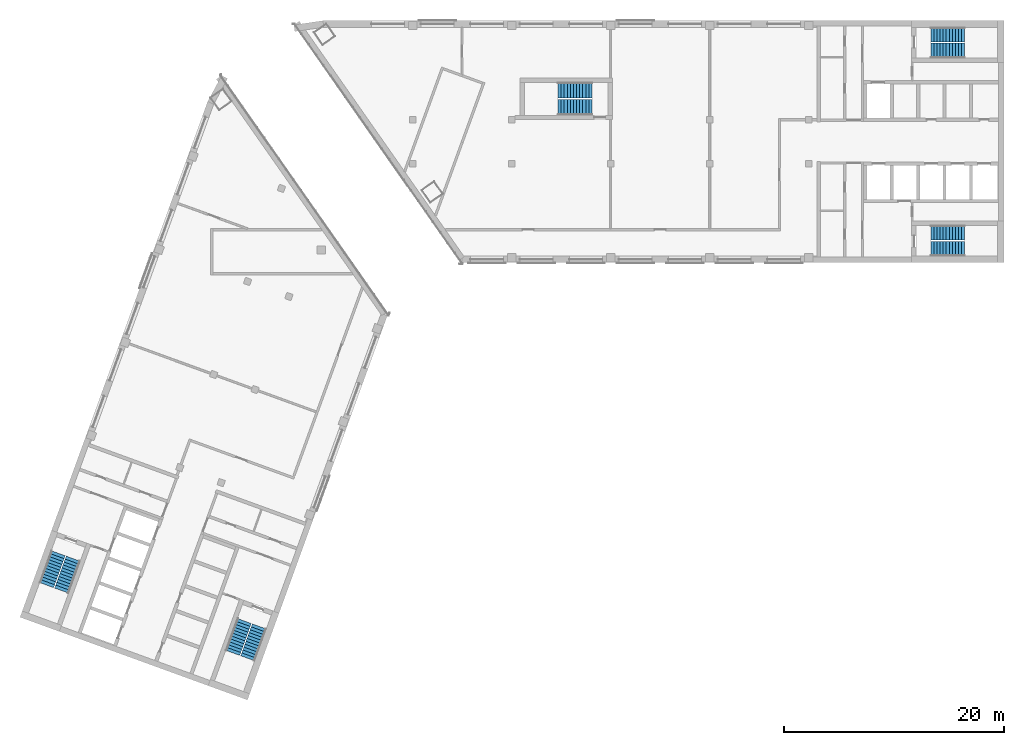
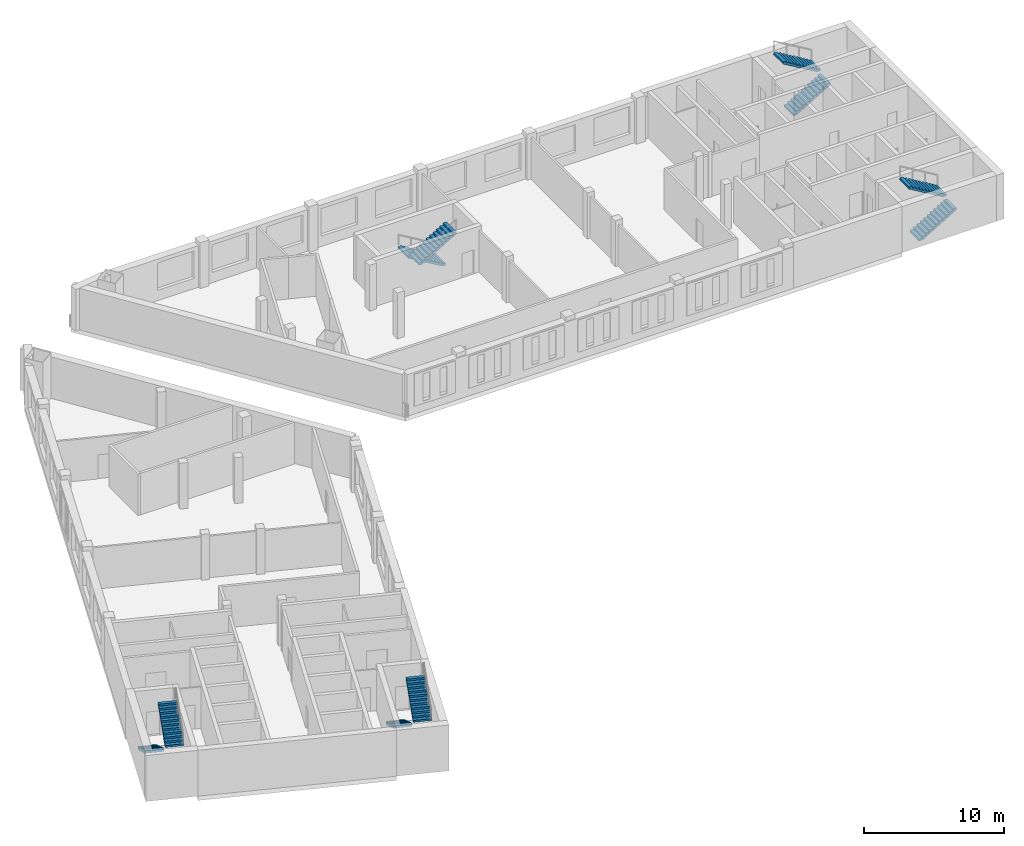
# One storey, part 6 of 7: 10 stair flights, 5 elements without a shape of their own.
"""IFC4 building model written with IfcOpenShell, lengths in metres."""

import ifcopenshell
import ifcopenshell.guid

model = None  # the IFC model being written
_history = None  # IfcOwnerHistory: only IFC2X3 demands one
_inside = {}  # id of a spatial element -> (the spatial element, [elements in it])
_under = {}  # id of a project, library or spatial element -> (it, [spatial elements below it])
_declared = {}  # id of a project -> (the project, [libraries it declares])
_typed = {}  # id of a type object -> (the type object, [elements of that type])
_made_of = {}  # id of a material, layer set ... -> (it, [elements and type objects made of it])


def new_model(schema):
    """Start an empty IFC model of exactly this schema.

    Asked for "IFC4X3", IfcOpenShell would pick the latest addendum, in which some entities
    have other attributes; the version numbers below select the first issue.
    IFC2X3 requires an IfcOwnerHistory on every rooted entity: one is made here for all.
    """
    global model, _history
    if schema == "IFC4X3":
        model = ifcopenshell.file(schema_version=(4, 3, 0, 0))
    else:
        model = ifcopenshell.file(schema=schema)
    _inside.clear()
    _under.clear()
    _declared.clear()
    _typed.clear()
    _made_of.clear()
    _history = None
    if model.schema == "IFC2X3":
        org = make("IfcOrganization", Name="unknown")
        user = make(
            "IfcPersonAndOrganization",
            ThePerson=make("IfcPerson", FamilyName="unknown"),
            TheOrganization=org,
        )
        app = make(
            "IfcApplication",
            ApplicationDeveloper=org,
            Version="unknown",
            ApplicationFullName="unknown",
            ApplicationIdentifier="unknown",
        )
        _history = make(
            "IfcOwnerHistory",
            OwningUser=user,
            OwningApplication=app,
            ChangeAction="ADDED",
            CreationDate=0,
        )
    return model


def make(cls, **values):
    """One entity of the class cls with the attributes given. An attribute that is None is left unset."""
    return model.create_entity(
        cls, **{name: value for name, value in values.items() if value is not None}
    )


def rooted(cls, **values):
    """An entity with a GlobalId (a new one), such as an element, a storey or a relation."""
    return make(cls, GlobalId=ifcopenshell.guid.new(), OwnerHistory=_history, **values)


def si_unit(unit_type, name, prefix=None):
    """IfcSIUnit, for example si_unit("LENGTHUNIT", "METRE", prefix="MILLI")."""
    return make("IfcSIUnit", UnitType=unit_type, Prefix=prefix, Name=name)


def assignment(units):
    """IfcUnitAssignment: the units of a project."""
    return None if units is None else make("IfcUnitAssignment", Units=units)


def point(xyz):
    """IfcCartesianPoint."""
    return None if xyz is None else make("IfcCartesianPoint", Coordinates=xyz)


def direction(xyz):
    """IfcDirection."""
    return None if xyz is None else make("IfcDirection", DirectionRatios=xyz)


def frame(location, z_axis=None, x_axis=None):
    """IfcAxis2Placement3D, a coordinate frame: its origin and axes. An axis left out is left unset."""
    return make(
        "IfcAxis2Placement3D",
        Location=point(location),
        Axis=direction(z_axis),
        RefDirection=direction(x_axis),
    )


def origin():
    """The frame at (0, 0, 0) with its axes left unset."""
    return frame((0.0, 0.0, 0.0))


def place(relative_to, where):
    """IfcLocalPlacement: puts the frame where relative to a parent placement (None: the world)."""
    return make(
        "IfcLocalPlacement", PlacementRelTo=relative_to, RelativePlacement=where
    )


def context(
    kind, dimensions, precision=None, world=None, true_north=None, identifier=None
):
    """IfcGeometricRepresentationContext, for example the 3D "Model" context."""
    return make(
        "IfcGeometricRepresentationContext",
        ContextIdentifier=identifier,
        ContextType=kind,
        CoordinateSpaceDimension=dimensions,
        Precision=precision,
        WorldCoordinateSystem=world,
        TrueNorth=true_north,
    )


def subcontext(parent, identifier, kind, view, scale=None):
    """IfcGeometricRepresentationSubContext, for example "Body" below "Model"."""
    return make(
        "IfcGeometricRepresentationSubContext",
        ContextIdentifier=identifier,
        ContextType=kind,
        ParentContext=parent,
        TargetScale=scale,
        TargetView=view,
    )


def project(units=None, contexts=None):
    """IfcProject with its units and contexts."""
    return rooted(
        "IfcProject",
        Name="project",
        RepresentationContexts=contexts,
        UnitsInContext=assignment(units),
    )


def spatial(cls, under=None, at=None, **own):
    """A site, building, storey or space (cls), placed at a placement, below another one or the project."""
    s = rooted(cls, ObjectPlacement=at, **own)
    if under is not None:
        _under.setdefault(under.id(), (under, []))[1].append(s)
    return s


def polyline(points):
    """IfcPolyline through the points."""
    return make("IfcPolyline", Points=[point(p) for p in points])


def outline(outer, holes=None, kind="AREA"):
    """IfcArbitraryClosedProfileDef: a profile drawn as a closed curve; with holes, ...WithVoids."""
    if holes is None:
        return make("IfcArbitraryClosedProfileDef", ProfileType=kind, OuterCurve=outer)
    return make(
        "IfcArbitraryProfileDefWithVoids",
        ProfileType=kind,
        OuterCurve=outer,
        InnerCurves=holes,
    )


def extrude(swept, where, along, depth):
    """IfcExtrudedAreaSolid: the profile swept, set in the frame where, extruded along a direction by depth."""
    return make(
        "IfcExtrudedAreaSolid",
        SweptArea=swept,
        Position=where,
        ExtrudedDirection=direction(along),
        Depth=depth,
    )


def shape(context_of_items, identifier, shape_type, items):
    """IfcShapeRepresentation: the items that make up one representation, for example the "Body"."""
    return make(
        "IfcShapeRepresentation",
        ContextOfItems=context_of_items,
        RepresentationIdentifier=identifier,
        RepresentationType=shape_type,
        Items=items,
    )


def material(Name=None, Category=None):
    """IfcMaterial."""
    return make("IfcMaterial", Name=Name, Category=Category)


def made_of(thing, what):
    """Note that an element or type object is made of a material, layer set ...; save() writes the relation."""
    if what is not None:
        _made_of.setdefault(what.id(), (what, []))[1].append(thing)
    return thing


def type_object(cls, material=None, **own):
    """A type object (cls), such as IfcWallType, which elements share."""
    return made_of(rooted(cls, **own), material)


def element(
    cls,
    number,
    at=None,
    inside=None,
    cuts=None,
    type_object=None,
    material=None,
    context=None,
    identifier="Body",
    shape_type=None,
    held_by="IfcProductDefinitionShape",
    body=None,
    shapes=None,
    **own,
):
    """One element of the class cls, such as IfcWall. Its Tag is "e" and its number.

    at: its placement. inside: the storey or other place that contains it. cuts: it is an
    opening in that element (IfcRelVoidsElement). A single representation is given by context,
    identifier, shape_type and body (its items); several are given by shapes. held_by: the class
    of the entity that holds the representations. save() writes the other relations.
    """
    e = rooted(cls, Tag="e%d" % number, ObjectPlacement=at, **own)
    if body is not None:
        shapes = [shape(context, identifier, shape_type, body)]
    if shapes is not None:
        e.Representation = make(held_by, Representations=shapes)
    if inside is not None:
        _inside.setdefault(inside.id(), (inside, []))[1].append(e)
    if cuts is not None:
        rooted(
            "IfcRelVoidsElement", RelatingBuildingElement=cuts, RelatedOpeningElement=e
        )
    if type_object is not None:
        _typed.setdefault(type_object.id(), (type_object, []))[1].append(e)
    return made_of(e, material)


def aggregate(whole, parts):
    """IfcRelAggregates: a whole, such as a stair, and the parts it consists of."""
    return rooted("IfcRelAggregates", RelatingObject=whole, RelatedObjects=parts)


def save(model, path):
    """Write the relations noted so far, then the file.

    IfcRelAggregates (storeys below a building ...), IfcRelContainedInSpatialStructure (elements
    in a storey), IfcRelDefinesByType, IfcRelAssociatesMaterial and IfcRelDeclares: one each for
    every whole, place, type object, material and project.
    """
    for whole, parts in _under.values():
        aggregate(whole, parts)
    for where, things in _inside.values():
        rooted(
            "IfcRelContainedInSpatialStructure",
            RelatedElements=things,
            RelatingStructure=where,
        )
    for kind, things in _typed.values():
        rooted("IfcRelDefinesByType", RelatedObjects=things, RelatingType=kind)
    for what, things in _made_of.values():
        rooted("IfcRelAssociatesMaterial", RelatedObjects=things, RelatingMaterial=what)
    for by, libraries in _declared.values():
        rooted("IfcRelDeclares", RelatingContext=by, RelatedDefinitions=libraries)
    model.write(path)


model = new_model("IFC4")

# Units and contexts
model_context = context("Model", 3, precision=1e-05, world=origin(), true_north=direction((0.0, 1.0)))
body_context = subcontext(model_context, "Body", "Model", "MODEL_VIEW")
ifc_project = project(units=[si_unit("LENGTHUNIT", "METRE"), si_unit("AREAUNIT", "SQUARE_METRE"), si_unit("VOLUMEUNIT", "CUBIC_METRE"), si_unit("PLANEANGLEUNIT", "RADIAN"), si_unit("MASSUNIT", "GRAM", prefix="KILO")], contexts=[model_context])

# Site, building, storey
site_placement = place(None, origin())
site = spatial("IfcSite", under=ifc_project, at=site_placement, CompositionType="ELEMENT")
building_placement = place(site_placement, origin())
building = spatial("IfcBuilding", under=site, at=building_placement, Name="Skarvind Civic Tower", CompositionType="ELEMENT")
storey_placement = place(building_placement, frame((0.0, 0.0, 188.0)))
storey = spatial("IfcBuildingStorey", under=building, at=storey_placement, Name="L44", CompositionType="ELEMENT", Elevation=188.0)

# Stair, stair flights
ifc_material = material(Name="Concrete C40/50", Category="concrete")
stair_type_1 = type_object("IfcStairType", Name="Exit stair 1450, half-turn, concrete", PredefinedType="HALF_TURN_STAIR", material=ifc_material)
stair_1_placement = place(storey_placement, origin())
stair_1 = element("IfcStair", 1, at=stair_1_placement, inside=storey, type_object=stair_type_1, Name="Exit stair CM", PredefinedType="HALF_TURN_STAIR")
stair_flight_type_1 = type_object("IfcStairFlightType", Name="Stair flight 1450, concrete", PredefinedType="STRAIGHT", material=ifc_material)
stair_flight_1_placement = place(storey_placement, frame((70.550048828125, 132.675048828125, 0.0), z_axis=(0.0, 0.0, 1.0), x_axis=(-1.0, 0.0, 0.0)))
stair_flight_1 = element("IfcStairFlight", 2, at=stair_flight_1_placement, type_object=stair_flight_type_1, Name="ST-CM flight 1", NumberOfRisers=12, NumberOfTreads=11, PredefinedType="STRAIGHT", RiserHeight=0.166666667, TreadLength=0.28, context=body_context, shape_type="SweptSolid", body=[
    extrude(outline(polyline([(0.0, 0.0), (0.0, 0.166748046875), (0.280029296875, 0.166748046875), (0.280029296875, 0.333251953125), (0.56005859375, 0.333251953125), (0.56005859375, 0.5), (0.840087890625, 0.5), (0.840087890625, 0.666748046875), (1.1201171875, 0.666748046875), (1.1201171875, 0.833251953125), (1.39990234375, 0.833251953125), (1.39990234375, 1.0), (1.679931640625, 1.0), (1.679931640625, 1.166748046875), (1.9599609375, 1.166748046875), (1.9599609375, 1.333251953125), (2.239990234375, 1.333251953125), (2.239990234375, 1.5), (2.52001953125, 1.5), (2.52001953125, 1.666748046875), (2.800048828125, 1.666748046875), (2.800048828125, 1.833251953125), (3.080078125, 1.833251953125), (3.080078125, 2.0), (3.080078125, 1.658935546875), (0.29296875, 0.0), (0.0, 0.0)])), frame((0.0, 0.72509765625, 0.0), z_axis=(0.0, -1.0, 0.0), x_axis=(1.0, 0.0, 0.0)), (0.0, 0.0, 1.0), 1.449951171875),
])
stair_flight_2_placement = place(storey_placement, frame((67.469970703125, 131.125, 2.0), z_axis=(0.0, 0.0, 1.0), x_axis=(1.0, 0.0, 0.0)))
stair_flight_2 = element("IfcStairFlight", 3, at=stair_flight_2_placement, type_object=stair_flight_type_1, Name="ST-CM flight 2", NumberOfRisers=12, NumberOfTreads=11, PredefinedType="STRAIGHT", RiserHeight=0.166666667, TreadLength=0.28, context=body_context, shape_type="SweptSolid", body=[
    extrude(outline(polyline([(0.0, 0.0), (0.0, 0.166748046875), (0.280029296875, 0.166748046875), (0.280029296875, 0.333251953125), (0.56005859375, 0.333251953125), (0.56005859375, 0.5), (0.840087890625, 0.5), (0.840087890625, 0.666748046875), (1.1201171875, 0.666748046875), (1.1201171875, 0.833251953125), (1.39990234375, 0.833251953125), (1.39990234375, 1.0), (1.679931640625, 1.0), (1.679931640625, 1.166748046875), (1.9599609375, 1.166748046875), (1.9599609375, 1.333251953125), (2.239990234375, 1.333251953125), (2.239990234375, 1.5), (2.52001953125, 1.5), (2.52001953125, 1.666748046875), (2.800048828125, 1.666748046875), (2.800048828125, 1.833251953125), (3.080078125, 1.833251953125), (3.080078125, 2.0), (3.080078125, 1.658935546875), (0.29296875, 0.0), (0.0, 0.0)])), frame((0.0, 0.72509765625, 0.0), z_axis=(0.0, -1.0, 0.0), x_axis=(1.0, 0.0, 0.0)), (0.0, 0.0, 1.0), 1.449951171875),
])
aggregate(stair_1, [stair_flight_1, stair_flight_2])

stair_type_2 = type_object("IfcStairType", Name="Exit stair, half-turn, concrete", PredefinedType="HALF_TURN_STAIR", material=ifc_material)
stair_2_placement = place(storey_placement, origin())
stair_2 = element("IfcStair", 4, at=stair_2_placement, inside=storey, type_object=stair_type_2, Name="Exit stair C1S", PredefinedType="HALF_TURN_STAIR")
stair_flight_type_2 = type_object("IfcStairFlightType", Name="Stair flight, concrete", PredefinedType="STRAIGHT", material=ifc_material)
stair_flight_3_placement = place(storey_placement, frame((101.35009765625, 136.27490234375, 0.0), z_axis=(0.0, 0.0, 1.0), x_axis=(1.0, 0.0, 0.0)))
stair_flight_3 = element("IfcStairFlight", 5, at=stair_flight_3_placement, type_object=stair_flight_type_2, Name="ST-C1S flight 1", NumberOfRisers=12, NumberOfTreads=11, PredefinedType="STRAIGHT", RiserHeight=0.166666667, TreadLength=0.28, context=body_context, shape_type="SweptSolid", body=[
    extrude(outline(polyline([(0.0, 0.0), (0.0, 0.166748046875), (0.280029296875, 0.166748046875), (0.280029296875, 0.333251953125), (0.56005859375, 0.333251953125), (0.56005859375, 0.5), (0.840087890625, 0.5), (0.840087890625, 0.666748046875), (1.1201171875, 0.666748046875), (1.1201171875, 0.833251953125), (1.39990234375, 0.833251953125), (1.39990234375, 1.0), (1.679931640625, 1.0), (1.679931640625, 1.166748046875), (1.9599609375, 1.166748046875), (1.9599609375, 1.333251953125), (2.239990234375, 1.333251953125), (2.239990234375, 1.5), (2.52001953125, 1.5), (2.52001953125, 1.666748046875), (2.800048828125, 1.666748046875), (2.800048828125, 1.833251953125), (3.080078125, 1.833251953125), (3.080078125, 2.0), (3.080078125, 1.658935546875), (0.29296875, 0.0), (0.0, 0.0)])), frame((0.0, 0.675048828125, 0.0), z_axis=(0.0, -1.0, 0.0), x_axis=(1.0, 0.0, 0.0)), (0.0, 0.0, 1.0), 1.35009765625),
])
stair_flight_4_placement = place(storey_placement, frame((104.429931640625, 137.72509765625, 2.0), z_axis=(0.0, 0.0, 1.0), x_axis=(-1.0, 0.0, 0.0)))
stair_flight_4 = element("IfcStairFlight", 6, at=stair_flight_4_placement, type_object=stair_flight_type_2, Name="ST-C1S flight 2", NumberOfRisers=12, NumberOfTreads=11, PredefinedType="STRAIGHT", RiserHeight=0.166666667, TreadLength=0.28, context=body_context, shape_type="SweptSolid", body=[
    extrude(outline(polyline([(0.0, 0.0), (0.0, 0.166748046875), (0.280029296875, 0.166748046875), (0.280029296875, 0.333251953125), (0.56005859375, 0.333251953125), (0.56005859375, 0.5), (0.840087890625, 0.5), (0.840087890625, 0.666748046875), (1.1201171875, 0.666748046875), (1.1201171875, 0.833251953125), (1.39990234375, 0.833251953125), (1.39990234375, 1.0), (1.679931640625, 1.0), (1.679931640625, 1.166748046875), (1.9599609375, 1.166748046875), (1.9599609375, 1.333251953125), (2.239990234375, 1.333251953125), (2.239990234375, 1.5), (2.52001953125, 1.5), (2.52001953125, 1.666748046875), (2.800048828125, 1.666748046875), (2.800048828125, 1.833251953125), (3.080078125, 1.833251953125), (3.080078125, 2.0), (3.080078125, 1.658935546875), (0.29296875, 0.0), (0.0, 0.0)])), frame((0.0, 0.675048828125, 0.0), z_axis=(0.0, -1.0, 0.0), x_axis=(1.0, 0.0, 0.0)), (0.0, 0.0, 1.0), 1.35009765625),
])
aggregate(stair_2, [stair_flight_3, stair_flight_4])

stair_3_placement = place(storey_placement, origin())
stair_3 = element("IfcStair", 7, at=stair_3_placement, inside=storey, type_object=stair_type_2, Name="Exit stair C1N", PredefinedType="HALF_TURN_STAIR")
stair_flight_5_placement = place(storey_placement, frame((101.35009765625, 118.27490234375, 0.0), z_axis=(0.0, 0.0, 1.0), x_axis=(1.0, 0.0, 0.0)))
stair_flight_5 = element("IfcStairFlight", 8, at=stair_flight_5_placement, type_object=stair_flight_type_2, Name="ST-C1N flight 1", NumberOfRisers=12, NumberOfTreads=11, PredefinedType="STRAIGHT", RiserHeight=0.166666667, TreadLength=0.28, context=body_context, shape_type="SweptSolid", body=[
    extrude(outline(polyline([(0.0, 0.0), (0.0, 0.166748046875), (0.280029296875, 0.166748046875), (0.280029296875, 0.333251953125), (0.56005859375, 0.333251953125), (0.56005859375, 0.5), (0.840087890625, 0.5), (0.840087890625, 0.666748046875), (1.1201171875, 0.666748046875), (1.1201171875, 0.833251953125), (1.39990234375, 0.833251953125), (1.39990234375, 1.0), (1.679931640625, 1.0), (1.679931640625, 1.166748046875), (1.9599609375, 1.166748046875), (1.9599609375, 1.333251953125), (2.239990234375, 1.333251953125), (2.239990234375, 1.5), (2.52001953125, 1.5), (2.52001953125, 1.666748046875), (2.800048828125, 1.666748046875), (2.800048828125, 1.833251953125), (3.080078125, 1.833251953125), (3.080078125, 2.0), (3.080078125, 1.658935546875), (0.29296875, 0.0), (0.0, 0.0)])), frame((0.0, 0.675048828125, 0.0), z_axis=(0.0, -1.0, 0.0), x_axis=(1.0, 0.0, 0.0)), (0.0, 0.0, 1.0), 1.35009765625),
])
stair_flight_6_placement = place(storey_placement, frame((104.429931640625, 119.72509765625, 2.0), z_axis=(0.0, 0.0, 1.0), x_axis=(-1.0, 0.0, 0.0)))
stair_flight_6 = element("IfcStairFlight", 9, at=stair_flight_6_placement, type_object=stair_flight_type_2, Name="ST-C1N flight 2", NumberOfRisers=12, NumberOfTreads=11, PredefinedType="STRAIGHT", RiserHeight=0.166666667, TreadLength=0.28, context=body_context, shape_type="SweptSolid", body=[
    extrude(outline(polyline([(0.0, 0.0), (0.0, 0.166748046875), (0.280029296875, 0.166748046875), (0.280029296875, 0.333251953125), (0.56005859375, 0.333251953125), (0.56005859375, 0.5), (0.840087890625, 0.5), (0.840087890625, 0.666748046875), (1.1201171875, 0.666748046875), (1.1201171875, 0.833251953125), (1.39990234375, 0.833251953125), (1.39990234375, 1.0), (1.679931640625, 1.0), (1.679931640625, 1.166748046875), (1.9599609375, 1.166748046875), (1.9599609375, 1.333251953125), (2.239990234375, 1.333251953125), (2.239990234375, 1.5), (2.52001953125, 1.5), (2.52001953125, 1.666748046875), (2.800048828125, 1.666748046875), (2.800048828125, 1.833251953125), (3.080078125, 1.833251953125), (3.080078125, 2.0), (3.080078125, 1.658935546875), (0.29296875, 0.0), (0.0, 0.0)])), frame((0.0, 0.675048828125, 0.0), z_axis=(0.0, -1.0, 0.0), x_axis=(1.0, 0.0, 0.0)), (0.0, 0.0, 1.0), 1.35009765625),
])
aggregate(stair_3, [stair_flight_5, stair_flight_6])

stair_4_placement = place(storey_placement, origin())
stair_4 = element("IfcStair", 10, at=stair_4_placement, inside=storey, type_object=stair_type_2, Name="Exit stair C2S", PredefinedType="HALF_TURN_STAIR")
stair_flight_7_placement = place(storey_placement, frame((38.949462890625, 84.43408203125, 0.0), z_axis=(0.0, 0.0, 1.0), x_axis=(-0.342020143326, -0.939692620786, 0.0)))
stair_flight_7 = element("IfcStairFlight", 11, at=stair_flight_7_placement, type_object=stair_flight_type_2, Name="ST-C2S flight 1", NumberOfRisers=12, NumberOfTreads=11, PredefinedType="STRAIGHT", RiserHeight=0.166666667, TreadLength=0.28, context=body_context, shape_type="SweptSolid", body=[
    extrude(outline(polyline([(0.0, 0.0), (0.0, 0.166748046875), (0.280029296875, 0.166748046875), (0.280029296875, 0.333251953125), (0.56005859375, 0.333251953125), (0.56005859375, 0.5), (0.840087890625, 0.5), (0.840087890625, 0.666748046875), (1.1201171875, 0.666748046875), (1.1201171875, 0.833251953125), (1.39990234375, 0.833251953125), (1.39990234375, 1.0), (1.679931640625, 1.0), (1.679931640625, 1.166748046875), (1.9599609375, 1.166748046875), (1.9599609375, 1.333251953125), (2.239990234375, 1.333251953125), (2.239990234375, 1.5), (2.52001953125, 1.5), (2.52001953125, 1.666748046875), (2.800048828125, 1.666748046875), (2.800048828125, 1.833251953125), (3.080078125, 1.833251953125), (3.080078125, 2.0), (3.080078125, 1.658935546875), (0.29296875, 0.0), (0.0, 0.0)])), frame((0.0, 0.675048828125, 0.0), z_axis=(0.0, -1.0, 0.0), x_axis=(1.0, 0.0, 0.0)), (0.0, 0.0, 1.0), 1.35009765625),
])
stair_flight_8_placement = place(storey_placement, frame((39.258544921875, 81.0439453125, 2.0), z_axis=(0.0, 0.0, 1.0), x_axis=(0.342020143326, 0.939692620786, 0.0)))
stair_flight_8 = element("IfcStairFlight", 12, at=stair_flight_8_placement, type_object=stair_flight_type_2, Name="ST-C2S flight 2", NumberOfRisers=12, NumberOfTreads=11, PredefinedType="STRAIGHT", RiserHeight=0.166666667, TreadLength=0.28, context=body_context, shape_type="SweptSolid", body=[
    extrude(outline(polyline([(0.0, 0.0), (0.0, 0.166748046875), (0.280029296875, 0.166748046875), (0.280029296875, 0.333251953125), (0.56005859375, 0.333251953125), (0.56005859375, 0.5), (0.840087890625, 0.5), (0.840087890625, 0.666748046875), (1.1201171875, 0.666748046875), (1.1201171875, 0.833251953125), (1.39990234375, 0.833251953125), (1.39990234375, 1.0), (1.679931640625, 1.0), (1.679931640625, 1.166748046875), (1.9599609375, 1.166748046875), (1.9599609375, 1.333251953125), (2.239990234375, 1.333251953125), (2.239990234375, 1.5), (2.52001953125, 1.5), (2.52001953125, 1.666748046875), (2.800048828125, 1.666748046875), (2.800048828125, 1.833251953125), (3.080078125, 1.833251953125), (3.080078125, 2.0), (3.080078125, 1.658935546875), (0.29296875, 0.0), (0.0, 0.0)])), frame((0.0, 0.675048828125, 0.0), z_axis=(0.0, -1.0, 0.0), x_axis=(1.0, 0.0, 0.0)), (0.0, 0.0, 1.0), 1.35009765625),
])
aggregate(stair_4, [stair_flight_7, stair_flight_8])

stair_5_placement = place(storey_placement, origin())
stair_5 = element("IfcStair", 13, at=stair_5_placement, inside=storey, type_object=stair_type_2, Name="Exit stair C2N", PredefinedType="HALF_TURN_STAIR")
stair_flight_9_placement = place(storey_placement, frame((22.034912109375, 90.590576171875, 0.0), z_axis=(0.0, 0.0, 1.0), x_axis=(-0.342020143326, -0.939692620786, 0.0)))
stair_flight_9 = element("IfcStairFlight", 14, at=stair_flight_9_placement, type_object=stair_flight_type_2, Name="ST-C2N flight 1", NumberOfRisers=12, NumberOfTreads=11, PredefinedType="STRAIGHT", RiserHeight=0.166666667, TreadLength=0.28, context=body_context, shape_type="SweptSolid", body=[
    extrude(outline(polyline([(0.0, 0.0), (0.0, 0.166748046875), (0.280029296875, 0.166748046875), (0.280029296875, 0.333251953125), (0.56005859375, 0.333251953125), (0.56005859375, 0.5), (0.840087890625, 0.5), (0.840087890625, 0.666748046875), (1.1201171875, 0.666748046875), (1.1201171875, 0.833251953125), (1.39990234375, 0.833251953125), (1.39990234375, 1.0), (1.679931640625, 1.0), (1.679931640625, 1.166748046875), (1.9599609375, 1.166748046875), (1.9599609375, 1.333251953125), (2.239990234375, 1.333251953125), (2.239990234375, 1.5), (2.52001953125, 1.5), (2.52001953125, 1.666748046875), (2.800048828125, 1.666748046875), (2.800048828125, 1.833251953125), (3.080078125, 1.833251953125), (3.080078125, 2.0), (3.080078125, 1.658935546875), (0.29296875, 0.0), (0.0, 0.0)])), frame((0.0, 0.675048828125, 0.0), z_axis=(0.0, -1.0, 0.0), x_axis=(1.0, 0.0, 0.0)), (0.0, 0.0, 1.0), 1.35009765625),
])
stair_flight_10_placement = place(storey_placement, frame((22.343994140625, 87.2001953125, 2.0), z_axis=(0.0, 0.0, 1.0), x_axis=(0.342020143326, 0.939692620786, 0.0)))
stair_flight_10 = element("IfcStairFlight", 15, at=stair_flight_10_placement, type_object=stair_flight_type_2, Name="ST-C2N flight 2", NumberOfRisers=12, NumberOfTreads=11, PredefinedType="STRAIGHT", RiserHeight=0.166666667, TreadLength=0.28, context=body_context, shape_type="SweptSolid", body=[
    extrude(outline(polyline([(0.0, 0.0), (0.0, 0.166748046875), (0.280029296875, 0.166748046875), (0.280029296875, 0.333251953125), (0.56005859375, 0.333251953125), (0.56005859375, 0.5), (0.840087890625, 0.5), (0.840087890625, 0.666748046875), (1.1201171875, 0.666748046875), (1.1201171875, 0.833251953125), (1.39990234375, 0.833251953125), (1.39990234375, 1.0), (1.679931640625, 1.0), (1.679931640625, 1.166748046875), (1.9599609375, 1.166748046875), (1.9599609375, 1.333251953125), (2.239990234375, 1.333251953125), (2.239990234375, 1.5), (2.52001953125, 1.5), (2.52001953125, 1.666748046875), (2.800048828125, 1.666748046875), (2.800048828125, 1.833251953125), (3.080078125, 1.833251953125), (3.080078125, 2.0), (3.080078125, 1.658935546875), (0.29296875, 0.0), (0.0, 0.0)])), frame((0.0, 0.675048828125, 0.0), z_axis=(0.0, -1.0, 0.0), x_axis=(1.0, 0.0, 0.0)), (0.0, 0.0, 1.0), 1.35009765625),
])
aggregate(stair_5, [stair_flight_9, stair_flight_10])

save(model, "model.ifc")
